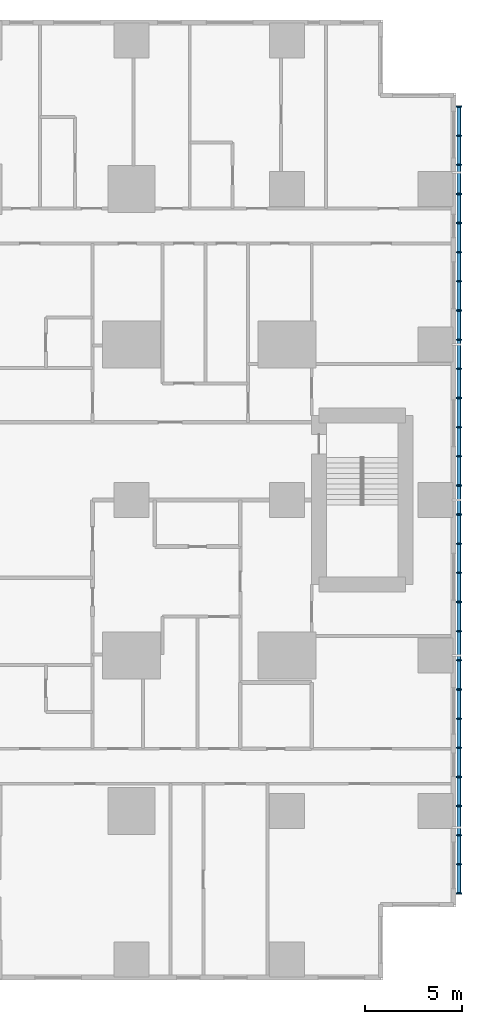
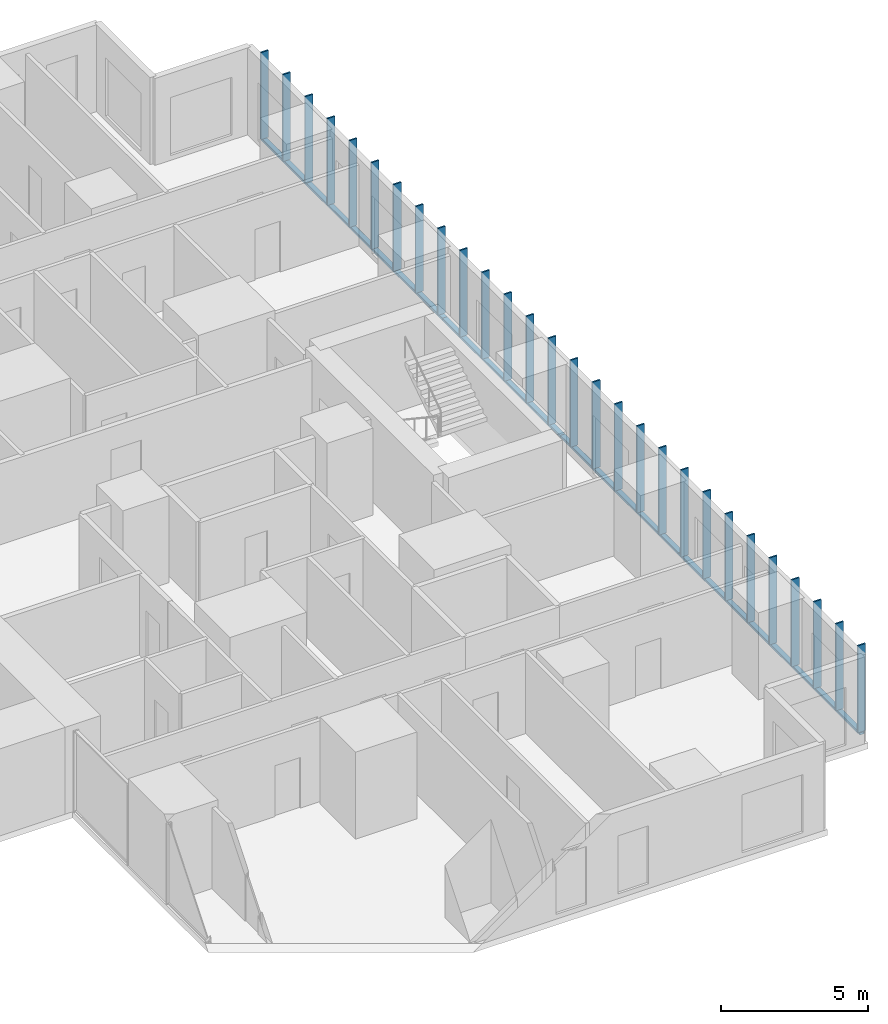
# One storey, part 6 of 20: 32 members.
"""IFC4 building model written with IfcOpenShell, lengths in metres."""

from ifc_helpers import new_model, si_unit, direction, frame, origin, origin_2d, place, context, subcontext, project, spatial, rectangle, hollow_rectangle, extrude, material, material_profile, profile_set, type_object, element, save


model = new_model("IFC4")

# Units and contexts
model_context = context("Model", 3, precision=1e-05, world=origin(), true_north=direction((0.0, 1.0)))
body_context = subcontext(model_context, "Body", "Model", "MODEL_VIEW")
ifc_project = project(units=[si_unit("LENGTHUNIT", "METRE"), si_unit("AREAUNIT", "SQUARE_METRE"), si_unit("VOLUMEUNIT", "CUBIC_METRE"), si_unit("PLANEANGLEUNIT", "RADIAN"), si_unit("MASSUNIT", "GRAM", prefix="KILO")], contexts=[model_context])

# Site, building, storey
site_placement = place(None, origin())
site = spatial("IfcSite", under=ifc_project, at=site_placement, CompositionType="ELEMENT")
building_placement = place(site_placement, origin())
building = spatial("IfcBuilding", under=site, at=building_placement, Name="Cleftline Residences", CompositionType="ELEMENT")
storey_placement = place(building_placement, frame((0.0, 0.0, 203.800048828125)))
storey = spatial("IfcBuildingStorey", under=building, at=storey_placement, Name="L53", CompositionType="ELEMENT", Elevation=203.800048828125)

# Members
ifc_material_1 = material(Name="Steel S355, hot-dip galvanised", Category="steel")
ifc_material_profile_1 = material_profile(ifc_material_1, hollow_rectangle(XDim=0.10009765625, YDim=0.199951171875, WallThickness=0.008056640625, InnerFilletRadius=0.008056640625, OuterFilletRadius=0.011962890625, at=origin_2d()))
ifc_profile_set_1 = profile_set([ifc_material_profile_1], Name="Steel S355, hot-dip galvanised")
member_type_1 = type_object("IfcMemberType", Name="BAGUETTE CARRIER RHS 200X100X8", PredefinedType="USERDEFINED", material=ifc_profile_set_1)
member_1_placement = place(storey_placement, frame((66.85009765625, 3.699951171875, -0.050048828125), z_axis=(0.0, 1.0, 0.0), x_axis=(0.0, 0.0, 1.0)))
element("IfcMember", 1, at=member_1_placement, inside=storey, type_object=member_type_1, Name="Baguette carrier", ObjectType="BAGUETTE CARRIER", PredefinedType="USERDEFINED", context=body_context, shape_type="SweptSolid", body=[
    extrude(hollow_rectangle(XDim=0.10009765625, YDim=0.199951171875, WallThickness=0.008056640625, InnerFilletRadius=0.008056640625, OuterFilletRadius=0.011962890625, at=origin_2d()), origin(), (0.0, 0.0, 1.0), 12.300048828125),
])
for number, where, z_axis, x_axis, name in (
    (2, (66.85009765625, 16.0, -0.050048828125), (0.0, 1.0, 0.0), (0.0, 0.0, 1.0), "Baguette carrier"),
    (3, (66.85009765625, 24.0, -0.050048828125), (0.0, 1.0, 0.0), (0.0, 0.0, 1.0), "Baguette carrier"),
):
    element("IfcMember", number, at=place(storey_placement, frame(where, z_axis=z_axis, x_axis=x_axis)), inside=storey, type_object=member_type_1, Name=name, ObjectType="BAGUETTE CARRIER", PredefinedType="USERDEFINED", context=body_context, shape_type="SweptSolid", body=[
        extrude(hollow_rectangle(XDim=0.10009765625, YDim=0.199951171875, WallThickness=0.008056640625, InnerFilletRadius=0.008056640625, OuterFilletRadius=0.011962890625, at=origin_2d()), origin(), (0.0, 0.0, 1.0), 8.0),
    ])
member_2_placement = place(storey_placement, frame((66.85009765625, 32.0, -0.050048828125), z_axis=(0.0, 1.0, 0.0), x_axis=(0.0, 0.0, 1.0)))
element("IfcMember", 4, at=member_2_placement, inside=storey, type_object=member_type_1, Name="Baguette carrier", ObjectType="BAGUETTE CARRIER", PredefinedType="USERDEFINED", context=body_context, shape_type="SweptSolid", body=[
    extrude(hollow_rectangle(XDim=0.10009765625, YDim=0.199951171875, WallThickness=0.008056640625, InnerFilletRadius=0.008056640625, OuterFilletRadius=0.011962890625, at=origin_2d()), origin(), (0.0, 0.0, 1.0), 12.300048828125),
])
ifc_material_2 = material(Name="Extruded terracotta", Category="masonry")
ifc_material_profile_2 = material_profile(ifc_material_2, rectangle(XDim=0.06005859375, YDim=0.300048828125, at=origin_2d()))
ifc_profile_set_2 = profile_set([ifc_material_profile_2], Name="Extruded terracotta")
member_type_2 = type_object("IfcMemberType", Name="TERRACOTTA BAGUETTE 60X300", PredefinedType="USERDEFINED", material=ifc_profile_set_2)
for number, where, z_axis, x_axis, name in (
    (5, (66.85009765625, 3.75, 0.0), (0.0, 0.0, 1.0), (0.0, 1.0, 0.0), "Terracotta baguette"),
    (6, (66.85009765625, 5.25, 0.0), (0.0, 0.0, 1.0), (0.0, 1.0, 0.0), "Terracotta baguette"),
    (7, (66.85009765625, 6.75, 0.0), (0.0, 0.0, 1.0), (0.0, 1.0, 0.0), "Terracotta baguette"),
    (8, (66.85009765625, 8.25, 0.0), (0.0, 0.0, 1.0), (0.0, 1.0, 0.0), "Terracotta baguette"),
    (9, (66.85009765625, 9.75, 0.0), (0.0, 0.0, 1.0), (0.0, 1.0, 0.0), "Terracotta baguette"),
    (10, (66.85009765625, 11.25, 0.0), (0.0, 0.0, 1.0), (0.0, 1.0, 0.0), "Terracotta baguette"),
    (11, (66.85009765625, 12.75, 0.0), (0.0, 0.0, 1.0), (0.0, 1.0, 0.0), "Terracotta baguette"),
    (12, (66.85009765625, 14.25, 0.0), (0.0, 0.0, 1.0), (0.0, 1.0, 0.0), "Terracotta baguette"),
    (13, (66.85009765625, 15.75, 0.0), (0.0, 0.0, 1.0), (0.0, 1.0, 0.0), "Terracotta baguette"),
    (14, (66.85009765625, 17.25, 0.0), (0.0, 0.0, 1.0), (0.0, 1.0, 0.0), "Terracotta baguette"),
    (15, (66.85009765625, 18.75, 0.0), (0.0, 0.0, 1.0), (0.0, 1.0, 0.0), "Terracotta baguette"),
    (16, (66.85009765625, 20.25, 0.0), (0.0, 0.0, 1.0), (0.0, 1.0, 0.0), "Terracotta baguette"),
    (17, (66.85009765625, 21.75, 0.0), (0.0, 0.0, 1.0), (0.0, 1.0, 0.0), "Terracotta baguette"),
    (18, (66.85009765625, 23.25, 0.0), (0.0, 0.0, 1.0), (0.0, 1.0, 0.0), "Terracotta baguette"),
    (19, (66.85009765625, 24.75, 0.0), (0.0, 0.0, 1.0), (0.0, 1.0, 0.0), "Terracotta baguette"),
    (20, (66.85009765625, 26.25, 0.0), (0.0, 0.0, 1.0), (0.0, 1.0, 0.0), "Terracotta baguette"),
    (21, (66.85009765625, 27.75, 0.0), (0.0, 0.0, 1.0), (0.0, 1.0, 0.0), "Terracotta baguette"),
    (22, (66.85009765625, 29.25, 0.0), (0.0, 0.0, 1.0), (0.0, 1.0, 0.0), "Terracotta baguette"),
    (23, (66.85009765625, 30.75, 0.0), (0.0, 0.0, 1.0), (0.0, 1.0, 0.0), "Terracotta baguette"),
    (24, (66.85009765625, 32.25, 0.0), (0.0, 0.0, 1.0), (0.0, 1.0, 0.0), "Terracotta baguette"),
    (25, (66.85009765625, 33.75, 0.0), (0.0, 0.0, 1.0), (0.0, 1.0, 0.0), "Terracotta baguette"),
    (26, (66.85009765625, 35.25, 0.0), (0.0, 0.0, 1.0), (0.0, 1.0, 0.0), "Terracotta baguette"),
    (27, (66.85009765625, 36.75, 0.0), (0.0, 0.0, 1.0), (0.0, 1.0, 0.0), "Terracotta baguette"),
    (28, (66.85009765625, 38.25, 0.0), (0.0, 0.0, 1.0), (0.0, 1.0, 0.0), "Terracotta baguette"),
    (29, (66.85009765625, 39.75, 0.0), (0.0, 0.0, 1.0), (0.0, 1.0, 0.0), "Terracotta baguette"),
    (30, (66.85009765625, 41.25, 0.0), (0.0, 0.0, 1.0), (0.0, 1.0, 0.0), "Terracotta baguette"),
    (31, (66.85009765625, 42.75, 0.0), (0.0, 0.0, 1.0), (0.0, 1.0, 0.0), "Terracotta baguette"),
    (32, (66.85009765625, 44.25, 0.0), (0.0, 0.0, 1.0), (0.0, 1.0, 0.0), "Terracotta baguette"),
):
    element("IfcMember", number, at=place(storey_placement, frame(where, z_axis=z_axis, x_axis=x_axis)), inside=storey, type_object=member_type_2, Name=name, ObjectType="BAGUETTE", PredefinedType="USERDEFINED", context=body_context, shape_type="SweptSolid", body=[
        extrude(rectangle(XDim=0.06005859375, YDim=0.300048828125, at=origin_2d()), origin(), (0.0, 0.0, 1.0), 3.599853515625),
    ])

save(model, "model.ifc")
